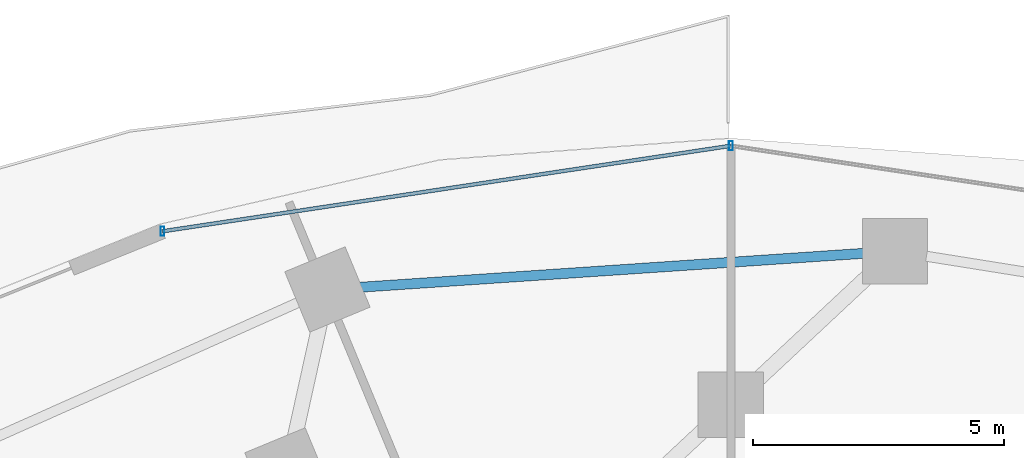
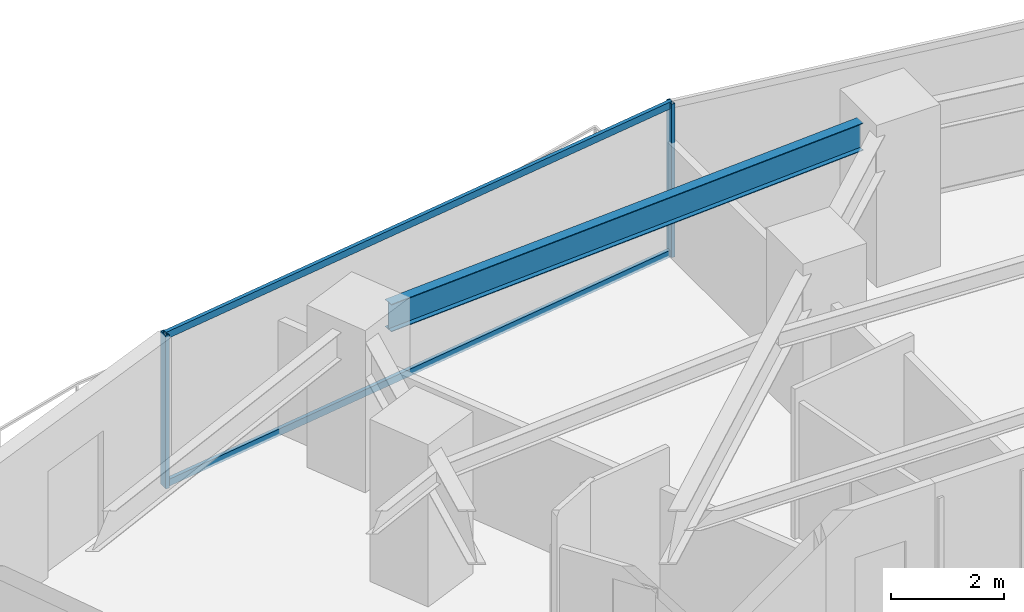
# One storey, part 22 of 36: 4 members, 1 beam, 1 element without a shape of its own.
"""IFC4 building model written with IfcOpenShell, lengths in metres."""

from ifc_helpers import new_model, si_unit, direction, frame, origin, origin_2d, place, context, subcontext, project, spatial, hollow_rectangle, i_section, extrude, material, material_profile, profile_set, type_object, element, aggregate, save


model = new_model("IFC4")

# Units and contexts
model_context = context("Model", 3, precision=1e-05, world=origin(), true_north=direction((0.0, 1.0)))
body_context = subcontext(model_context, "Body", "Model", "MODEL_VIEW")
ifc_project = project(units=[si_unit("LENGTHUNIT", "METRE"), si_unit("AREAUNIT", "SQUARE_METRE"), si_unit("VOLUMEUNIT", "CUBIC_METRE"), si_unit("PLANEANGLEUNIT", "RADIAN"), si_unit("MASSUNIT", "GRAM", prefix="KILO")], contexts=[model_context])

# Site, building, storey
site_placement = place(None, origin())
site = spatial("IfcSite", under=ifc_project, at=site_placement, CompositionType="ELEMENT")
building_placement = place(site_placement, origin())
building = spatial("IfcBuilding", under=site, at=building_placement, Name="Vorneva Point Tower", CompositionType="ELEMENT")
storey_placement = place(building_placement, frame((0.0, 0.0, 24.0)))
storey = spatial("IfcBuildingStorey", under=building, at=storey_placement, Name="L05", CompositionType="ELEMENT", Elevation=24.0)

# Beam
ifc_material_1 = material(Name="Steel S355", Category="steel")
ifc_material_profile_1 = material_profile(ifc_material_1, i_section(OverallWidth=0.198974609375, OverallDepth=0.595947265625, WebThickness=0.010009765625, FlangeThickness=0.014892578125, at=origin_2d()), Name="60B1")
ifc_profile_set_1 = profile_set([ifc_material_profile_1], Name="Steel S355")
beam_type = type_object("IfcBeamType", Name="BM-SPN-60B1", PredefinedType="SPANDREL", material=ifc_profile_set_1)
beam_placement = place(storey_placement, frame((40.631591796875, 46.209716796875, 2.94189453125), z_axis=(-0.997736943545, -0.067238318585, 0.0), x_axis=(0.067238318585, -0.997736943545, 0.0)))
element("IfcBeam", 1, at=beam_placement, inside=storey, type_object=beam_type, Name="L05 Perimeter Spandrel Ring Beam 05", PredefinedType="SPANDREL", context=body_context, shape_type="SweptSolid", body=[
    extrude(i_section(OverallWidth=0.198974609375, OverallDepth=0.595947265625, WebThickness=0.010009765625, FlangeThickness=0.014892578125, at=origin_2d()), origin(), (0.0, 0.0, 1.0), 10.046875),
])

# Curtain wall, members
ifc_material_2 = material(Name="Pale anodised aluminium", Category="aluminium")
curtain_wall_type = type_object("IfcCurtainWallType", Name="CW-HTL-SYS", PredefinedType="NOTDEFINED", material=ifc_material_2)
curtain_wall_placement = place(storey_placement, origin())
curtain_wall = element("IfcCurtainWall", 2, at=curtain_wall_placement, inside=storey, type_object=curtain_wall_type, Name="L05 Unitised Curtain Wall CW-L05-R02", PredefinedType="NOTDEFINED")
ifc_material_profile_2 = material_profile(ifc_material_2, hollow_rectangle(XDim=0.074951171875, YDim=0.179931640625, WallThickness=0.00390625, at=origin_2d()), Name="AL-MUL 180x75x4")
ifc_profile_set_2 = profile_set([ifc_material_profile_2], Name="Pale anodised aluminium")
member_type_1 = type_object("IfcMemberType", Name="CW-MUL-180", PredefinedType="MULLION", material=ifc_profile_set_2)
member_1_placement = place(storey_placement, frame((38.0, 48.35009765625, -0.0400390625), z_axis=(0.0, 0.0, 1.0), x_axis=(1.0, 0.0, 0.0)))
member_1 = element("IfcMember", 3, at=member_1_placement, type_object=member_type_1, Name="CW-L05-R02 Mullion 03", PredefinedType="MULLION", context=body_context, shape_type="SweptSolid", body=[
    extrude(hollow_rectangle(XDim=0.074951171875, YDim=0.179931640625, WallThickness=0.00390625, at=origin_2d()), origin(), (0.0, 0.0, 1.0), 3.31005859375),
])
member_2_placement = place(storey_placement, frame((26.691650390625, 46.648681640625, -0.0400390625), z_axis=(0.0, 0.0, 1.0), x_axis=(1.0, 0.0, 0.0)))
member_2 = element("IfcMember", 4, at=member_2_placement, type_object=member_type_1, Name="CW-L05-R02 Mullion 04", PredefinedType="MULLION", context=body_context, shape_type="SweptSolid", body=[
    extrude(hollow_rectangle(XDim=0.074951171875, YDim=0.179931640625, WallThickness=0.00390625, at=origin_2d()), origin(), (0.0, 0.0, 1.0), 3.31005859375),
])
ifc_material_profile_3 = material_profile(ifc_material_2, hollow_rectangle(XDim=0.074951171875, YDim=0.14990234375, WallThickness=0.00390625, at=origin_2d()), Name="AL-TRN 150x75x4")
ifc_profile_set_3 = profile_set([ifc_material_profile_3], Name="Pale anodised aluminium")
member_type_2 = type_object("IfcMemberType", Name="CW-TRN-150", PredefinedType="USERDEFINED", material=ifc_profile_set_3)
member_3_placement = place(storey_placement, frame((38.0, 48.35009765625, 0.02001953125), z_axis=(-0.988870014575, -0.148782036131, 0.0), x_axis=(0.148782036131, -0.988870014575, 0.0)))
member_3 = element("IfcMember", 5, at=member_3_placement, type_object=member_type_2, Name="CW-L05-R02 Transom 03.1", ObjectType="TRANSOM", PredefinedType="USERDEFINED", context=body_context, shape_type="SweptSolid", body=[
    extrude(hollow_rectangle(XDim=0.074951171875, YDim=0.14990234375, WallThickness=0.00390625, at=origin_2d()), origin(), (0.0, 0.0, 1.0), 11.435546875),
])
member_4_placement = place(storey_placement, frame((38.0, 48.35009765625, 3.219970703125), z_axis=(-0.988870014575, -0.148782036131, 0.0), x_axis=(0.148782036131, -0.988870014575, 0.0)))
member_4 = element("IfcMember", 6, at=member_4_placement, type_object=member_type_2, Name="CW-L05-R02 Transom 03.2", ObjectType="TRANSOM", PredefinedType="USERDEFINED", context=body_context, shape_type="SweptSolid", body=[
    extrude(hollow_rectangle(XDim=0.074951171875, YDim=0.14990234375, WallThickness=0.00390625, at=origin_2d()), origin(), (0.0, 0.0, 1.0), 11.435546875),
])
aggregate(curtain_wall, [member_1, member_2, member_3, member_4])

save(model, "model.ifc")
